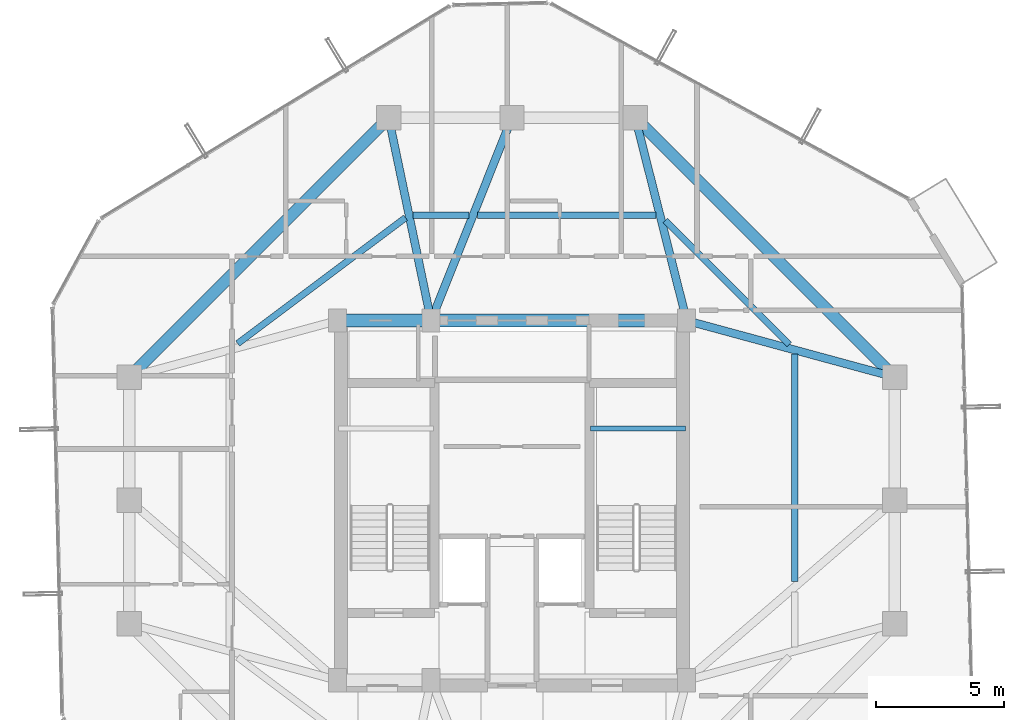
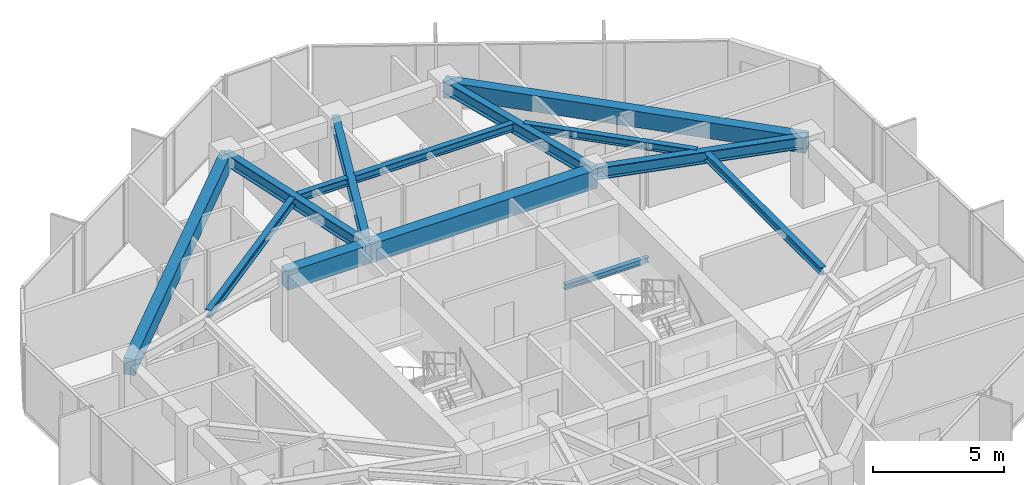
# One storey, part 17 of 32: 14 beams.
"""IFC4 building model written with IfcOpenShell, lengths in metres."""

from ifc_helpers import new_model, si_unit, direction, frame, origin, origin_2d, place, context, subcontext, project, spatial, rectangle, i_section, extrude, material, material_profile, profile_set, type_object, element, save


model = new_model("IFC4")

# Units and contexts
model_context = context("Model", 3, precision=1e-05, world=origin(), true_north=direction((0.0, 1.0)))
body_context = subcontext(model_context, "Body", "Model", "MODEL_VIEW")
ifc_project = project(units=[si_unit("LENGTHUNIT", "METRE"), si_unit("AREAUNIT", "SQUARE_METRE"), si_unit("VOLUMEUNIT", "CUBIC_METRE"), si_unit("PLANEANGLEUNIT", "RADIAN"), si_unit("MASSUNIT", "GRAM", prefix="KILO")], contexts=[model_context])

# Site, building, storey
site_placement = place(None, origin())
site = spatial("IfcSite", under=ifc_project, at=site_placement, CompositionType="ELEMENT")
building_placement = place(site_placement, origin())
building = spatial("IfcBuilding", under=site, at=building_placement, Name="Veraguas Prism Commons", CompositionType="ELEMENT")
storey_placement = place(building_placement, frame((0.0, 0.0, 201.60009765625)))
storey = spatial("IfcBuildingStorey", under=building, at=storey_placement, Name="L57", CompositionType="ELEMENT", Elevation=201.60009765625)

# Beams
ifc_material_1 = material(Name="Concrete C50/60", Category="concrete")
ifc_material_profile_1 = material_profile(ifc_material_1, rectangle(XDim=0.5, YDim=0.85009765625, at=origin_2d()), Name="RC500X850")
ifc_profile_set_1 = profile_set([ifc_material_profile_1], Name="Concrete C50/60")
beam_type_1 = type_object("IfcBeamType", Name="Core Coupling Beam RC 500x850", PredefinedType="BEAM", material=ifc_profile_set_1)
beam_1_placement = place(storey_placement, frame((17.199951171875, 31.0, 2.58984375), z_axis=(1.0, 0.0, 0.0), x_axis=(0.0, 1.0, 0.0)))
element("IfcBeam", 1, at=beam_1_placement, inside=storey, type_object=beam_type_1, Name="Core Coupling Beam L57-CRN1", PredefinedType="BEAM", context=body_context, shape_type="SweptSolid", body=[
    extrude(rectangle(XDim=0.5, YDim=0.85009765625, at=origin_2d()), origin(), (0.0, 0.0, 1.0), 3.650146484375),
])
beam_2_placement = place(storey_placement, frame((20.85009765625, 31.0, 2.58984375), z_axis=(1.0, 0.0, 0.0), x_axis=(0.0, 1.0, 0.0)))
element("IfcBeam", 2, at=beam_2_placement, inside=storey, type_object=beam_type_1, Name="Core Coupling Beam L57-CRN2", PredefinedType="BEAM", context=body_context, shape_type="SweptSolid", body=[
    extrude(rectangle(XDim=0.5, YDim=0.85009765625, at=origin_2d()), origin(), (0.0, 0.0, 1.0), 9.949951171875),
])
ifc_material_profile_2 = material_profile(ifc_material_1, rectangle(XDim=0.449951171875, YDim=0.75, at=origin_2d()), Name="RC450X750")
ifc_profile_set_2 = profile_set([ifc_material_profile_2], Name="Concrete C50/60")
beam_type_2 = type_object("IfcBeamType", Name="Perimeter Spandrel Upper RC 450x750", PredefinedType="SPANDREL", material=ifc_profile_set_2)
for number, where, z_axis, x_axis, name in (
    (3, (38.89990234375, 28.800048828125, 2.639892578125), (-0.707106781187, 0.707106781187, 0.0), (-0.707106781187, -0.707106781187, 0.0), "Perimeter Spandrel Beam L57-SP03"),
    (4, (19.199951171875, 38.89990234375, 2.639892578125), (-0.707106781187, -0.707106781187, 0.0), (0.707106781187, -0.707106781187, 0.0), "Perimeter Spandrel Beam L57-SP06"),
):
    element("IfcBeam", number, at=place(storey_placement, frame(where, z_axis=z_axis, x_axis=x_axis)), inside=storey, type_object=beam_type_2, Name=name, PredefinedType="SPANDREL", context=body_context, shape_type="SweptSolid", body=[
        extrude(rectangle(XDim=0.449951171875, YDim=0.75, at=origin_2d()), origin(), (0.0, 0.0, 1.0), 14.283447265625),
    ])
ifc_material_2 = material(Name="Steel ASTM A992 Grade 50", Category="steel")
ifc_material_profile_3 = material_profile(ifc_material_2, i_section(OverallWidth=0.202880859375, OverallDepth=0.251953125, WebThickness=0.008056640625, FlangeThickness=0.013427734375, at=origin_2d()), Name="W250X58")
ifc_profile_set_3 = profile_set([ifc_material_profile_3], Name="Steel ASTM A992 Grade 50")
beam_type_3 = type_object("IfcBeamType", Name="Structural Opening Lintel W250x58", PredefinedType="LINTEL", material=ifc_profile_set_3)
beam_3_placement = place(storey_placement, frame((27.050048828125, 26.800048828125, 1.298828125), z_axis=(1.0, 0.0, 0.0), x_axis=(0.0, 1.0, 0.0)))
element("IfcBeam", 5, at=beam_3_placement, inside=storey, type_object=beam_type_3, Name="Stair ST-02 Half-Landing Support Beam L57-1", PredefinedType="LINTEL", context=body_context, shape_type="SweptSolid", body=[
    extrude(i_section(OverallWidth=0.202880859375, OverallDepth=0.251953125, WebThickness=0.008056640625, FlangeThickness=0.013427734375, at=origin_2d()), origin(), (0.0, 0.0, 1.0), 3.699951171875),
])
ifc_material_profile_4 = material_profile(ifc_material_2, i_section(OverallWidth=0.25390625, OverallDepth=0.35302734375, WebThickness=0.009521484375, FlangeThickness=0.016357421875, at=origin_2d()), Name="W360X91")
ifc_profile_set_4 = profile_set([ifc_material_profile_4], Name="Steel ASTM A992 Grade 50")
beam_type_4 = type_object("IfcBeamType", Name="Upper Floor Joist W360x91", PredefinedType="JOIST", material=ifc_profile_set_4)
beam_4_placement = place(storey_placement, frame((35.011962890625, 20.843017578125, 2.83837890625), z_axis=(0.0, 1.0, 0.0), x_axis=(-1.0, 0.0, 0.0)))
element("IfcBeam", 6, at=beam_4_placement, inside=storey, type_object=beam_type_4, Name="Composite Floor Joist L57-JS02", PredefinedType="JOIST", context=body_context, shape_type="SweptSolid", body=[
    extrude(i_section(OverallWidth=0.25390625, OverallDepth=0.35302734375, WebThickness=0.009521484375, FlangeThickness=0.016357421875, at=origin_2d()), origin(), (0.0, 0.0, 1.0), 8.85400390625),
])
beam_5_placement = place(storey_placement, frame((34.793701171875, 30.074462890625, 2.83837890625), z_axis=(-0.707124682851, 0.707088879069, 0.0), x_axis=(-0.707088879069, -0.707124682851, 0.0)))
element("IfcBeam", 7, at=beam_5_placement, inside=storey, type_object=beam_type_4, Name="Composite Floor Joist L57-JS03", PredefinedType="JOIST", context=body_context, shape_type="SweptSolid", body=[
    extrude(i_section(OverallWidth=0.25390625, OverallDepth=0.35302734375, WebThickness=0.009521484375, FlangeThickness=0.016357421875, at=origin_2d()), origin(), (0.0, 0.0, 1.0), 6.81884765625),
])
beam_6_placement = place(storey_placement, frame((29.601806640625, 35.10791015625, 2.83837890625), z_axis=(-1.0, 0.0, 0.0), x_axis=(0.0, -1.0, 0.0)))
element("IfcBeam", 8, at=beam_6_placement, inside=storey, type_object=beam_type_4, Name="Composite Floor Joist L57-JS04", PredefinedType="JOIST", context=body_context, shape_type="SweptSolid", body=[
    extrude(i_section(OverallWidth=0.25390625, OverallDepth=0.35302734375, WebThickness=0.009521484375, FlangeThickness=0.016357421875, at=origin_2d()), origin(), (0.0, 0.0, 1.0), 6.948486328125),
])
beam_7_placement = place(storey_placement, frame((22.32275390625, 35.10791015625, 2.83837890625), z_axis=(-1.0, 0.0, 0.0), x_axis=(0.0, -1.0, 0.0)))
element("IfcBeam", 9, at=beam_7_placement, inside=storey, type_object=beam_type_4, Name="Composite Floor Joist L57-JS05", PredefinedType="JOIST", context=body_context, shape_type="SweptSolid", body=[
    extrude(i_section(OverallWidth=0.25390625, OverallDepth=0.35302734375, WebThickness=0.009521484375, FlangeThickness=0.016357421875, at=origin_2d()), origin(), (0.0, 0.0, 1.0), 2.174072265625),
])
beam_8_placement = place(storey_placement, frame((19.8564453125, 35.00634765625, 2.83837890625), z_axis=(-0.800060962004, -0.599918708724, 0.0), x_axis=(0.599918708724, -0.800060962004, 0.0)))
element("IfcBeam", 10, at=beam_8_placement, inside=storey, type_object=beam_type_4, Name="Composite Floor Joist L57-JS06", PredefinedType="JOIST", context=body_context, shape_type="SweptSolid", body=[
    extrude(i_section(OverallWidth=0.25390625, OverallDepth=0.35302734375, WebThickness=0.009521484375, FlangeThickness=0.016357421875, at=origin_2d()), origin(), (0.0, 0.0, 1.0), 8.169189453125),
])
ifc_material_profile_5 = material_profile(ifc_material_2, i_section(OverallWidth=0.31103515625, OverallDepth=0.5458984375, WebThickness=0.0146484375, FlangeThickness=0.023681640625, at=origin_2d()), Name="W530X165")
ifc_profile_set_5 = profile_set([ifc_material_profile_5], Name="Steel ASTM A992 Grade 50")
beam_type_5 = type_object("IfcBeamType", Name="Zone 3 Radial Girder W530x165", PredefinedType="BEAM", material=ifc_profile_set_5)
beam_9_placement = place(storey_placement, frame((38.89990234375, 28.800048828125, 2.741943359375), z_axis=(-0.965038506703, 0.262108146725, 0.0), x_axis=(-0.262108146725, -0.965038506703, 0.0)))
element("IfcBeam", 11, at=beam_9_placement, inside=storey, type_object=beam_type_5, Name="Radial Floor Girder L57-RD03", PredefinedType="BEAM", context=body_context, shape_type="SweptSolid", body=[
    extrude(i_section(OverallWidth=0.31103515625, OverallDepth=0.5458984375, WebThickness=0.0146484375, FlangeThickness=0.023681640625, at=origin_2d()), origin(), (0.0, 0.0, 1.0), 8.393310546875),
])
beam_10_placement = place(storey_placement, frame((28.800048828125, 38.89990234375, 2.741943359375), z_axis=(0.245424718066, -0.969415652732, 0.0), x_axis=(0.969415652732, 0.245424718066, 0.0)))
element("IfcBeam", 12, at=beam_10_placement, inside=storey, type_object=beam_type_5, Name="Radial Floor Girder L57-RD04", PredefinedType="BEAM", context=body_context, shape_type="SweptSolid", body=[
    extrude(i_section(OverallWidth=0.31103515625, OverallDepth=0.5458984375, WebThickness=0.0146484375, FlangeThickness=0.023681640625, at=origin_2d()), origin(), (0.0, 0.0, 1.0), 8.149169921875),
])
beam_11_placement = place(storey_placement, frame((24.0, 38.89990234375, 2.741943359375), z_axis=(-0.370370877803, -0.928883960931, 0.0), x_axis=(0.928883960931, -0.370370877803, 0.0)))
element("IfcBeam", 13, at=beam_11_placement, inside=storey, type_object=beam_type_5, Name="Radial Floor Girder L57-RD05", PredefinedType="BEAM", context=body_context, shape_type="SweptSolid", body=[
    extrude(i_section(OverallWidth=0.31103515625, OverallDepth=0.5458984375, WebThickness=0.0146484375, FlangeThickness=0.023681640625, at=origin_2d()), origin(), (0.0, 0.0, 1.0), 8.504638671875),
])
beam_12_placement = place(storey_placement, frame((19.199951171875, 38.89990234375, 2.741943359375), z_axis=(0.204468851168, -0.978873070884, 0.0), x_axis=(0.978873070884, 0.204468851168, 0.0)))
element("IfcBeam", 14, at=beam_12_placement, inside=storey, type_object=beam_type_5, Name="Radial Floor Girder L57-RD06", PredefinedType="BEAM", context=body_context, shape_type="SweptSolid", body=[
    extrude(i_section(OverallWidth=0.31103515625, OverallDepth=0.5458984375, WebThickness=0.0146484375, FlangeThickness=0.023681640625, at=origin_2d()), origin(), (0.0, 0.0, 1.0), 8.0703125),
])

save(model, "model.ifc")
